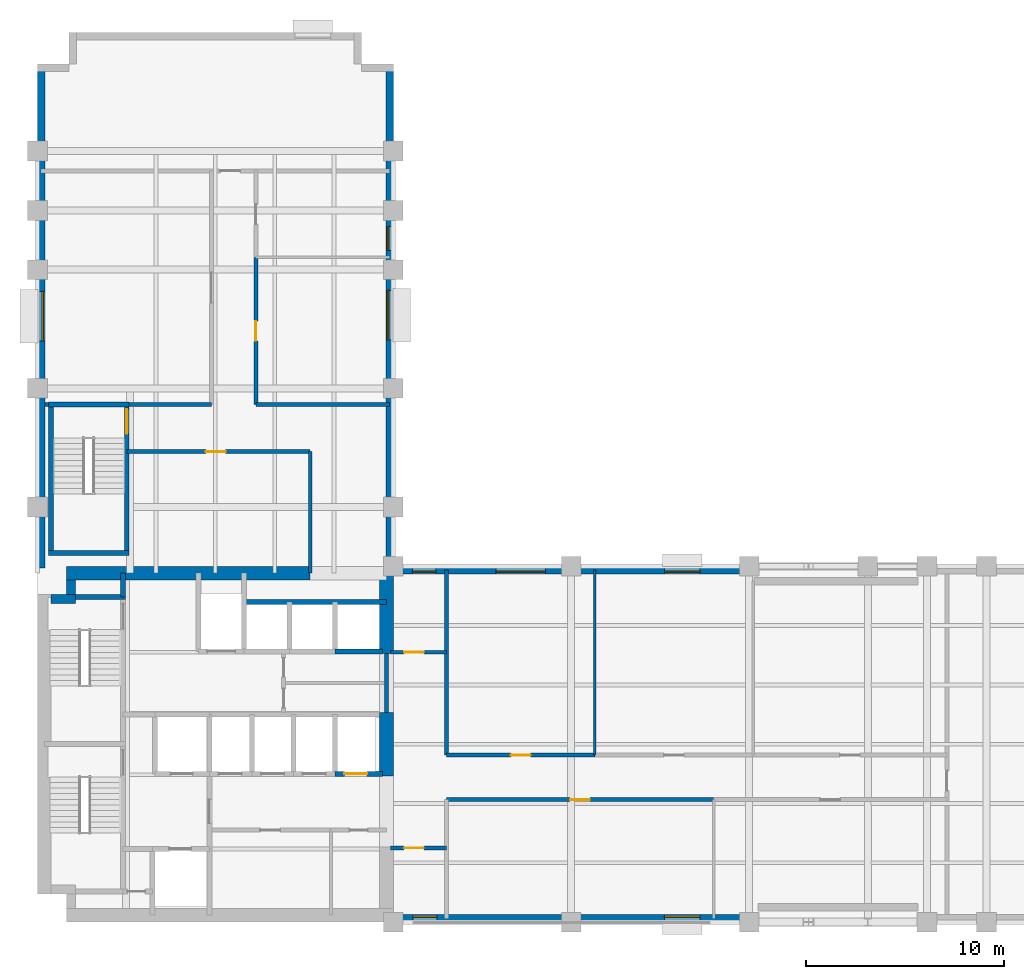
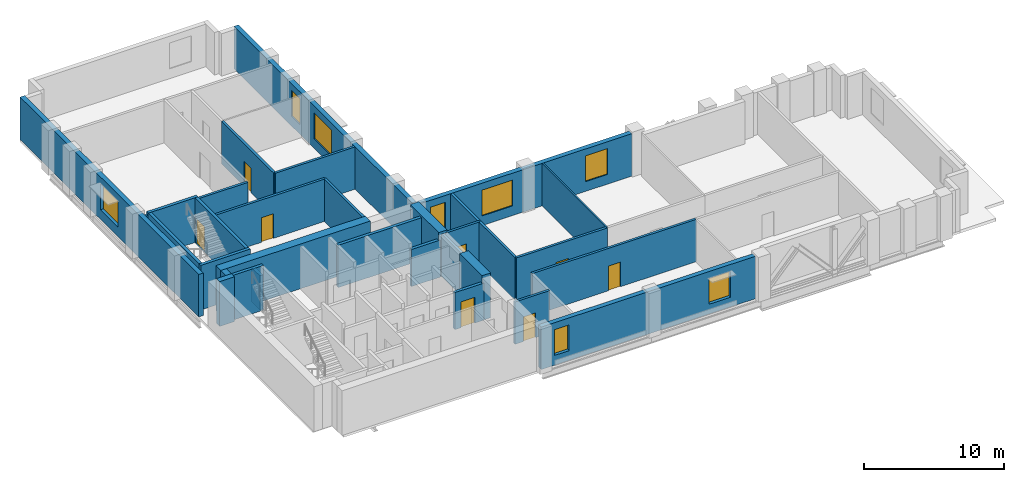
# One storey, part 4 of 7: 31 walls, 8 doors, 8 windows, 16 openings.
"""IFC4 building model written with IfcOpenShell, lengths in metres."""

from ifc_helpers import new_model, si_unit, direction, frame, frame_2d, origin, place, context, subcontext, project, spatial, rectangle, extrude, material, layer, layer_set, type_object, element, fill, save


model = new_model("IFC4")

# Units and contexts
model_context = context("Model", 3, precision=1e-05, world=origin(), true_north=direction((0.0, 1.0)))
body_context = subcontext(model_context, "Body", "Model", "MODEL_VIEW")
ifc_project = project(units=[si_unit("LENGTHUNIT", "METRE"), si_unit("AREAUNIT", "SQUARE_METRE"), si_unit("VOLUMEUNIT", "CUBIC_METRE"), si_unit("PLANEANGLEUNIT", "RADIAN"), si_unit("MASSUNIT", "GRAM", prefix="KILO")], contexts=[model_context])

# Site, building, storey
site_placement = place(None, origin())
site = spatial("IfcSite", under=ifc_project, at=site_placement, CompositionType="ELEMENT")
building_placement = place(site_placement, origin())
building = spatial("IfcBuilding", under=site, at=building_placement, Name="Mawjdan Bourse Tower", CompositionType="ELEMENT")
storey_placement = place(building_placement, frame((0.0, 0.0, 128.39990234375)))
storey = spatial("IfcBuildingStorey", under=building, at=storey_placement, Name="L30", CompositionType="ELEMENT", Elevation=128.39990234375)

# Wall, openings, windows
ifc_material_1 = material(Name="Brick Masonry Terracotta Red", Category="masonry")
ifc_layer_1 = layer(ifc_material_1, 0.3798828125)
ifc_layer_set_1 = layer_set([ifc_layer_1], Name="Brick Masonry Terracotta Red")
wall_type_1 = type_object("IfcWallType", Name="WL-BRK-RED-380", PredefinedType="STANDARD", material=ifc_layer_set_1)
wall_1_placement = place(storey_placement, frame((23.89990234375, 3.18994140625, 0.0), z_axis=(0.0, 0.0, 1.0), x_axis=(1.0, 0.0, 0.0)))
wall_1 = element("IfcWall", 1, at=wall_1_placement, inside=storey, type_object=wall_type_1, Name="L30 Exterior Brick Wall 1P1", PredefinedType="STANDARD", context=body_context, shape_type="SweptSolid", body=[
    extrude(rectangle(XDim=17.650146484375, YDim=0.3798828125, at=frame_2d((8.8251953125, 0.0))), origin(), (0.0, 0.0, 1.0), 3.7001953125),
])
opening_1_placement = place(wall_1_placement, frame((13.808349609375, 0.0, 0.85009765625)))
opening_1 = element("IfcOpeningElement", 2, at=opening_1_placement, cuts=wall_1, Name="Opening W-L30-01", PredefinedType="OPENING", context=body_context, shape_type="SweptSolid", body=[
    extrude(rectangle(XDim=1.800048828125, YDim=2.25, at=frame_2d((0.89990234375, 1.125))), frame((0.0, 0.199951171875, 0.0), z_axis=(0.0, -1.0, 0.0), x_axis=(1.0, 0.0, 0.0)), (0.0, 0.0, 1.0), 0.39990234375),
])
opening_2_placement = place(wall_1_placement, frame((1.10009765625, 0.0, 0.85009765625)))
opening_2 = element("IfcOpeningElement", 3, at=opening_2_placement, cuts=wall_1, Name="Opening W-L30-08", PredefinedType="OPENING", context=body_context, shape_type="SweptSolid", body=[
    extrude(rectangle(XDim=1.199951171875, YDim=2.25, at=frame_2d((0.60009765625, 1.125))), frame((0.0, 0.199951171875, 0.0), z_axis=(0.0, -1.0, 0.0), x_axis=(1.0, 0.0, 0.0)), (0.0, 0.0, 1.0), 0.39990234375),
])
ifc_material_2 = material(Name="Solar-Control Clear Double Glazing", Category="glass")
window_type_1 = type_object("IfcWindowType", Name="WN-Z2-1200", PartitioningType="SINGLE_PANEL", PredefinedType="WINDOW", material=ifc_material_2)
window_1_placement = place(opening_2_placement, origin())
window_1 = element("IfcWindow", 4, at=window_1_placement, inside=storey, type_object=window_type_1, Name="L30 Deep-Set Masonry Window W-L30-08", OverallHeight=2.25, OverallWidth=1.199951171875, PartitioningType="SINGLE_PANEL", PredefinedType="WINDOW", context=body_context, shape_type="SweptSolid", body=[
    extrude(rectangle(XDim=1.199951171875, YDim=2.25, at=frame_2d((0.60009765625, 1.125))), frame((0.0, 0.110107421875, 0.0), z_axis=(0.0, -1.0, 0.0), x_axis=(1.0, 0.0, 0.0)), (0.0, 0.0, 1.0), 0.06005859375),
])
fill(opening_2, window_1)
window_type_2 = type_object("IfcWindowType", Name="WN-Z2-1800", PartitioningType="SINGLE_PANEL", PredefinedType="WINDOW", material=ifc_material_2)
window_2_placement = place(opening_1_placement, origin())
window_2 = element("IfcWindow", 5, at=window_2_placement, inside=storey, type_object=window_type_2, Name="L30 Deep-Set Masonry Window W-L30-01", OverallHeight=2.25, OverallWidth=1.800048828125, PartitioningType="SINGLE_PANEL", PredefinedType="WINDOW", context=body_context, shape_type="SweptSolid", body=[
    extrude(rectangle(XDim=1.800048828125, YDim=2.25, at=frame_2d((0.89990234375, 1.125))), frame((0.0, 0.110107421875, 0.0), z_axis=(0.0, -1.0, 0.0), x_axis=(1.0, 0.0, 0.0)), (0.0, 0.0, 1.0), 0.06005859375),
])
fill(opening_1, window_2)

wall_2_placement = place(storey_placement, frame((41.550048828125, 20.81005859375, 0.0), z_axis=(0.0, 0.0, 1.0), x_axis=(-1.0, 0.0, 0.0)))
wall_2 = element("IfcWall", 6, at=wall_2_placement, inside=storey, type_object=wall_type_1, Name="L30 Exterior Brick Wall 7P3", PredefinedType="STANDARD", context=body_context, shape_type="SweptSolid", body=[
    extrude(rectangle(XDim=17.550048828125, YDim=0.3798828125, at=frame_2d((8.77490234375, 0.0))), origin(), (0.0, 0.0, 1.0), 3.7001953125),
])
opening_3_placement = place(wall_2_placement, frame((2.02490234375, 0.0, 0.85009765625)))
opening_3 = element("IfcOpeningElement", 7, at=opening_3_placement, cuts=wall_2, Name="Opening W-L30-04", PredefinedType="OPENING", context=body_context, shape_type="SweptSolid", body=[
    extrude(rectangle(XDim=1.800048828125, YDim=2.25, at=frame_2d((0.89990234375, 1.125))), frame((0.0, 0.199951171875, 0.0), z_axis=(0.0, -1.0, 0.0), x_axis=(1.0, 0.0, 0.0)), (0.0, 0.0, 1.0), 0.39990234375),
])
opening_4_placement = place(wall_2_placement, frame((15.3837890625, 0.0, 0.85009765625)))
opening_4 = element("IfcOpeningElement", 8, at=opening_4_placement, cuts=wall_2, Name="Opening W-L30-09", PredefinedType="OPENING", context=body_context, shape_type="SweptSolid", body=[
    extrude(rectangle(XDim=1.199951171875, YDim=2.25, at=frame_2d((0.60009765625, 1.125))), frame((0.0, 0.199951171875, 0.0), z_axis=(0.0, -1.0, 0.0), x_axis=(1.0, 0.0, 0.0)), (0.0, 0.0, 1.0), 0.39990234375),
])
opening_5_placement = place(wall_2_placement, frame((9.8544921875, 0.0, 0.85009765625)))
opening_5 = element("IfcOpeningElement", 9, at=opening_5_placement, cuts=wall_2, Name="Opening W-L30-10", PredefinedType="OPENING", context=body_context, shape_type="SweptSolid", body=[
    extrude(rectangle(XDim=2.5, YDim=2.25, at=frame_2d((1.25, 1.125))), frame((0.0, 0.199951171875, 0.0), z_axis=(0.0, -1.0, 0.0), x_axis=(1.0, 0.0, 0.0)), (0.0, 0.0, 1.0), 0.39990234375),
])
window_3_placement = place(opening_4_placement, origin())
window_3 = element("IfcWindow", 10, at=window_3_placement, inside=storey, type_object=window_type_1, Name="L30 Deep-Set Masonry Window W-L30-09", OverallHeight=2.25, OverallWidth=1.199951171875, PartitioningType="SINGLE_PANEL", PredefinedType="WINDOW", context=body_context, shape_type="SweptSolid", body=[
    extrude(rectangle(XDim=1.199951171875, YDim=2.25, at=frame_2d((0.60009765625, 1.125))), frame((0.0, 0.110107421875, 0.0), z_axis=(0.0, -1.0, 0.0), x_axis=(1.0, 0.0, 0.0)), (0.0, 0.0, 1.0), 0.06005859375),
])
fill(opening_4, window_3)
window_4_placement = place(opening_3_placement, origin())
window_4 = element("IfcWindow", 11, at=window_4_placement, inside=storey, type_object=window_type_2, Name="L30 Deep-Set Masonry Window W-L30-04", OverallHeight=2.25, OverallWidth=1.800048828125, PartitioningType="SINGLE_PANEL", PredefinedType="WINDOW", context=body_context, shape_type="SweptSolid", body=[
    extrude(rectangle(XDim=1.800048828125, YDim=2.25, at=frame_2d((0.89990234375, 1.125))), frame((0.0, 0.110107421875, 0.0), z_axis=(0.0, -1.0, 0.0), x_axis=(1.0, 0.0, 0.0)), (0.0, 0.0, 1.0), 0.06005859375),
])
fill(opening_3, window_4)
window_type_3 = type_object("IfcWindowType", Name="WN-Z2-2500", PartitioningType="SINGLE_PANEL", PredefinedType="WINDOW", material=ifc_material_2)
window_5_placement = place(opening_5_placement, origin())
window_5 = element("IfcWindow", 12, at=window_5_placement, inside=storey, type_object=window_type_3, Name="L30 Deep-Set Masonry Window W-L30-10", OverallHeight=2.25, OverallWidth=2.5, PartitioningType="SINGLE_PANEL", PredefinedType="WINDOW", context=body_context, shape_type="SweptSolid", body=[
    extrude(rectangle(XDim=2.5, YDim=2.25, at=frame_2d((1.25, 1.125))), frame((0.0, 0.110107421875, 0.0), z_axis=(0.0, -1.0, 0.0), x_axis=(1.0, 0.0, 0.0)), (0.0, 0.0, 1.0), 0.06005859375),
])
fill(opening_5, window_5)

wall_3_placement = place(storey_placement, frame((23.81005859375, 21.0, 0.0), z_axis=(0.0, 0.0, 1.0), x_axis=(0.0, 1.0, 0.0)))
wall_3 = element("IfcWall", 13, at=wall_3_placement, inside=storey, type_object=wall_type_1, Name="L30 Exterior Brick Wall 8", PredefinedType="STANDARD", context=body_context, shape_type="SweptSolid", body=[
    extrude(rectangle(XDim=25.39990234375, YDim=0.3798828125, at=frame_2d((12.699951171875, 0.0))), origin(), (0.0, 0.0, 1.0), 3.7001953125),
])
opening_6_placement = place(wall_3_placement, frame((11.449951171875, 0.0, 0.85009765625)))
opening_6 = element("IfcOpeningElement", 14, at=opening_6_placement, cuts=wall_3, Name="Opening W-L30-05", PredefinedType="OPENING", context=body_context, shape_type="SweptSolid", body=[
    extrude(rectangle(XDim=2.5, YDim=2.25, at=frame_2d((1.25, 1.125))), frame((0.0, 0.199951171875, 0.0), z_axis=(0.0, -1.0, 0.0), x_axis=(1.0, 0.0, 0.0)), (0.0, 0.0, 1.0), 0.39990234375),
])
opening_7_placement = place(wall_3_placement, frame((15.974365234375, 0.0, 0.85009765625)))
opening_7 = element("IfcOpeningElement", 15, at=opening_7_placement, cuts=wall_3, Name="Opening W-L30-11", PredefinedType="OPENING", context=body_context, shape_type="SweptSolid", body=[
    extrude(rectangle(XDim=1.199951171875, YDim=2.25, at=frame_2d((0.60009765625, 1.125))), frame((0.0, 0.199951171875, 0.0), z_axis=(0.0, -1.0, 0.0), x_axis=(1.0, 0.0, 0.0)), (0.0, 0.0, 1.0), 0.39990234375),
])
window_6_placement = place(opening_7_placement, origin())
window_6 = element("IfcWindow", 16, at=window_6_placement, inside=storey, type_object=window_type_1, Name="L30 Deep-Set Masonry Window W-L30-11", OverallHeight=2.25, OverallWidth=1.199951171875, PartitioningType="SINGLE_PANEL", PredefinedType="WINDOW", context=body_context, shape_type="SweptSolid", body=[
    extrude(rectangle(XDim=1.199951171875, YDim=2.25, at=frame_2d((0.60009765625, 1.125))), frame((0.0, 0.110107421875, 0.0), z_axis=(0.0, -1.0, 0.0), x_axis=(1.0, 0.0, 0.0)), (0.0, 0.0, 1.0), 0.06005859375),
])
fill(opening_7, window_6)
window_7_placement = place(opening_6_placement, origin())
window_7 = element("IfcWindow", 17, at=window_7_placement, inside=storey, type_object=window_type_3, Name="L30 Deep-Set Masonry Window W-L30-05", OverallHeight=2.25, OverallWidth=2.5, PartitioningType="SINGLE_PANEL", PredefinedType="WINDOW", context=body_context, shape_type="SweptSolid", body=[
    extrude(rectangle(XDim=2.5, YDim=2.25, at=frame_2d((1.25, 1.125))), frame((0.0, 0.110107421875, 0.0), z_axis=(0.0, -1.0, 0.0), x_axis=(1.0, 0.0, 0.0)), (0.0, 0.0, 1.0), 0.06005859375),
])
fill(opening_6, window_7)

# Wall, opening, window
wall_4_placement = place(storey_placement, frame((6.18994140625, 46.39990234375, 0.0), z_axis=(0.0, 0.0, 1.0), x_axis=(0.0, -1.0, 0.0)))
wall_4 = element("IfcWall", 18, at=wall_4_placement, inside=storey, type_object=wall_type_1, Name="L30 Exterior Brick Wall 14", PredefinedType="STANDARD", context=body_context, shape_type="SweptSolid", body=[
    extrude(rectangle(XDim=25.5, YDim=0.3798828125, at=frame_2d((12.75, 0.0))), origin(), (0.0, 0.0, 1.0), 3.7001953125),
])
opening_8_placement = place(wall_4_placement, frame((11.5, 0.0, 0.85009765625)))
opening_8 = element("IfcOpeningElement", 19, at=opening_8_placement, cuts=wall_4, Name="Opening W-L30-07", PredefinedType="OPENING", context=body_context, shape_type="SweptSolid", body=[
    extrude(rectangle(XDim=2.5, YDim=2.25, at=frame_2d((1.25, 1.125))), frame((0.0, 0.199951171875, 0.0), z_axis=(0.0, -1.0, 0.0), x_axis=(1.0, 0.0, 0.0)), (0.0, 0.0, 1.0), 0.39990234375),
])
window_8_placement = place(opening_8_placement, origin())
window_8 = element("IfcWindow", 20, at=window_8_placement, inside=storey, type_object=window_type_3, Name="L30 Deep-Set Masonry Window W-L30-07", OverallHeight=2.25, OverallWidth=2.5, PartitioningType="SINGLE_PANEL", PredefinedType="WINDOW", context=body_context, shape_type="SweptSolid", body=[
    extrude(rectangle(XDim=2.5, YDim=2.25, at=frame_2d((1.25, 1.125))), frame((0.0, 0.110107421875, 0.0), z_axis=(0.0, -1.0, 0.0), x_axis=(1.0, 0.0, 0.0)), (0.0, 0.0, 1.0), 0.06005859375),
])
fill(opening_8, window_8)

# Wall
ifc_material_3 = material(Name="Gypsum Fireboard Assembly")
ifc_layer_2 = layer(ifc_material_3, 0.199951171875)
ifc_layer_set_2 = layer_set([ifc_layer_2], Name="Gypsum Fireboard Assembly")
wall_type_2 = type_object("IfcWallType", Name="WL-CMP-200", PredefinedType="PARTITIONING", material=ifc_layer_set_2)
wall_5_placement = place(storey_placement, frame((23.64990234375, 13.60009765625, 0.0), z_axis=(0.0, 0.0, 1.0), x_axis=(0.0, 1.0, 0.0)))
element("IfcWall", 21, at=wall_5_placement, inside=storey, type_object=wall_type_2, Name="L30 Core Restroom East Enclosing Wall", PredefinedType="PARTITIONING", context=body_context, shape_type="SweptSolid", body=[
    extrude(rectangle(XDim=3.0, YDim=0.199951171875, at=frame_2d((1.5, 0.0))), origin(), (0.0, 0.0, 1.0), 3.690185546875),
])

# Wall, opening, door
wall_6_placement = place(storey_placement, frame((23.85009765625, 6.75, 0.0), z_axis=(0.0, 0.0, 1.0), x_axis=(1.0, 0.0, 0.0)))
wall_6 = element("IfcWall", 22, at=wall_6_placement, inside=storey, type_object=wall_type_2, Name="L30 West Pocket North Wall", PredefinedType="PARTITIONING", context=body_context, shape_type="SweptSolid", body=[
    extrude(rectangle(XDim=2.849853515625, YDim=0.199951171875, at=frame_2d((1.4248046875, 0.0))), origin(), (0.0, 0.0, 1.0), 3.690185546875),
])
opening_9_placement = place(wall_6_placement, frame((0.699951171875, 0.0, 0.0)))
opening_9 = element("IfcOpeningElement", 23, at=opening_9_placement, cuts=wall_6, Name="Opening D-L30-19", PredefinedType="OPENING", context=body_context, shape_type="SweptSolid", body=[
    extrude(rectangle(XDim=1.0, YDim=2.14990234375, at=frame_2d((0.5, 1.074951171875))), frame((0.0, 0.10986328125, 0.0), z_axis=(0.0, -1.0, 0.0), x_axis=(1.0, 0.0, 0.0)), (0.0, 0.0, 1.0), 0.219970703125),
])
ifc_material_4 = material(Name="Hardwood Acoustic Leaf", Category="wood")
door_type_1 = type_object("IfcDoorType", Name="DR-OFC-1000", OperationType="NOTDEFINED", PredefinedType="DOOR", material=ifc_material_4)
door_1_placement = place(opening_9_placement, origin())
door_1 = element("IfcDoor", 24, at=door_1_placement, inside=storey, type_object=door_type_1, Name="L30 West Pocket Office Door D-L30-19", OperationType="SINGLE_SWING_RIGHT", OverallHeight=2.14990234375, OverallWidth=1.0, PredefinedType="DOOR", context=body_context, shape_type="SweptSolid", body=[
    extrude(rectangle(XDim=1.0, YDim=2.14990234375, at=frame_2d((0.5, 1.074951171875))), frame((0.0, 0.02490234375, 0.0), z_axis=(0.0, -1.0, 0.0), x_axis=(1.0, 0.0, 0.0)), (0.0, 0.0, 1.0), 0.050048828125),
])
fill(opening_9, door_1)

wall_7_placement = place(storey_placement, frame((23.85009765625, 16.64990234375, 0.0), z_axis=(0.0, 0.0, 1.0), x_axis=(1.0, 0.0, 0.0)))
wall_7 = element("IfcWall", 25, at=wall_7_placement, inside=storey, type_object=wall_type_2, Name="L30 West North Pocket Wall", PredefinedType="PARTITIONING", context=body_context, shape_type="SweptSolid", body=[
    extrude(rectangle(XDim=2.849853515625, YDim=0.199951171875, at=frame_2d((1.4248046875, 0.0))), origin(), (0.0, 0.0, 1.0), 3.690185546875),
])
opening_10_placement = place(wall_7_placement, frame((0.699951171875, 0.0, 0.0)))
opening_10 = element("IfcOpeningElement", 26, at=opening_10_placement, cuts=wall_7, Name="Opening D-L30-20", PredefinedType="OPENING", context=body_context, shape_type="SweptSolid", body=[
    extrude(rectangle(XDim=1.0, YDim=2.14990234375, at=frame_2d((0.5, 1.074951171875))), frame((0.0, 0.10986328125, 0.0), z_axis=(0.0, -1.0, 0.0), x_axis=(1.0, 0.0, 0.0)), (0.0, 0.0, 1.0), 0.219970703125),
])
door_2_placement = place(opening_10_placement, origin())
door_2 = element("IfcDoor", 27, at=door_2_placement, inside=storey, type_object=door_type_1, Name="L30 West North Pocket Door D-L30-20", OperationType="SINGLE_SWING_LEFT", OverallHeight=2.14990234375, OverallWidth=1.0, PredefinedType="DOOR", context=body_context, shape_type="SweptSolid", body=[
    extrude(rectangle(XDim=1.0, YDim=2.14990234375, at=frame_2d((0.5, 1.074951171875))), frame((0.0, 0.02490234375, 0.0), z_axis=(0.0, -1.0, 0.0), x_axis=(1.0, 0.0, 0.0)), (0.0, 0.0, 1.0), 0.050048828125),
])
fill(opening_10, door_2)

# Wall
wall_8_placement = place(storey_placement, frame((26.699951171875, 11.449951171875, 0.0), z_axis=(0.0, 0.0, 1.0), x_axis=(0.0, 1.0, 0.0)))
element("IfcWall", 28, at=wall_8_placement, inside=storey, type_object=wall_type_2, Name="L30 Vestibule North East Wall", PredefinedType="PARTITIONING", context=body_context, shape_type="SweptSolid", body=[
    extrude(rectangle(XDim=9.3701171875, YDim=0.199951171875, at=frame_2d((4.68505859375, 0.0))), origin(), (0.0, 0.0, 1.0), 3.690185546875),
])

# Wall, opening, door
wall_9_placement = place(storey_placement, frame((26.699951171875, 9.199951171875, 0.0), z_axis=(0.0, 0.0, 1.0), x_axis=(1.0, 0.0, 0.0)))
wall_9 = element("IfcWall", 29, at=wall_9_placement, inside=storey, type_object=wall_type_2, Name="L30 Syndication & Sukuk Suite Corridor Wall", PredefinedType="PARTITIONING", context=body_context, shape_type="SweptSolid", body=[
    extrude(rectangle(XDim=13.5, YDim=0.199951171875, at=frame_2d((6.75, 0.0))), origin(), (0.0, 0.0, 1.0), 3.690185546875),
])
opening_11_placement = place(wall_9_placement, frame((6.25, 0.0, 0.0)))
opening_11 = element("IfcOpeningElement", 30, at=opening_11_placement, cuts=wall_9, Name="Opening D-L30-21", PredefinedType="OPENING", context=body_context, shape_type="SweptSolid", body=[
    extrude(rectangle(XDim=1.0, YDim=2.14990234375, at=frame_2d((0.5, 1.074951171875))), frame((0.0, 0.10986328125, 0.0), z_axis=(0.0, -1.0, 0.0), x_axis=(1.0, 0.0, 0.0)), (0.0, 0.0, 1.0), 0.219970703125),
])
door_3_placement = place(opening_11_placement, origin())
door_3 = element("IfcDoor", 31, at=door_3_placement, inside=storey, type_object=door_type_1, Name="L30 Syndication & Sukuk Suite Door D-L30-21", OperationType="SINGLE_SWING_RIGHT", OverallHeight=2.14990234375, OverallWidth=1.0, PredefinedType="DOOR", context=body_context, shape_type="SweptSolid", body=[
    extrude(rectangle(XDim=1.0, YDim=2.14990234375, at=frame_2d((0.5, 1.074951171875))), frame((0.0, 0.02490234375, 0.0), z_axis=(0.0, -1.0, 0.0), x_axis=(1.0, 0.0, 0.0)), (0.0, 0.0, 1.0), 0.050048828125),
])
fill(opening_11, door_3)

wall_10_placement = place(storey_placement, frame((26.699951171875, 11.449951171875, 0.0), z_axis=(0.0, 0.0, 1.0), x_axis=(1.0, 0.0, 0.0)))
wall_10 = element("IfcWall", 32, at=wall_10_placement, inside=storey, type_object=wall_type_2, Name="L30 Executive Office Corridor Wall", PredefinedType="PARTITIONING", context=body_context, shape_type="SweptSolid", body=[
    extrude(rectangle(XDim=7.5, YDim=0.199951171875, at=frame_2d((3.75, 0.0))), origin(), (0.0, 0.0, 1.0), 3.690185546875),
])
opening_12_placement = place(wall_10_placement, frame((3.25, 0.0, 0.0)))
opening_12 = element("IfcOpeningElement", 33, at=opening_12_placement, cuts=wall_10, Name="Opening D-L30-23", PredefinedType="OPENING", context=body_context, shape_type="SweptSolid", body=[
    extrude(rectangle(XDim=1.0, YDim=2.14990234375, at=frame_2d((0.5, 1.074951171875))), frame((0.0, 0.10986328125, 0.0), z_axis=(0.0, -1.0, 0.0), x_axis=(1.0, 0.0, 0.0)), (0.0, 0.0, 1.0), 0.219970703125),
])
door_4_placement = place(opening_12_placement, origin())
door_4 = element("IfcDoor", 34, at=door_4_placement, inside=storey, type_object=door_type_1, Name="L30 Executive Office Door D-L30-23", OperationType="SINGLE_SWING_RIGHT", OverallHeight=2.14990234375, OverallWidth=1.0, PredefinedType="DOOR", context=body_context, shape_type="SweptSolid", body=[
    extrude(rectangle(XDim=1.0, YDim=2.14990234375, at=frame_2d((0.5, 1.074951171875))), frame((0.0, 0.02490234375, 0.0), z_axis=(0.0, -1.0, 0.0), x_axis=(1.0, 0.0, 0.0)), (0.0, 0.0, 1.0), 0.050048828125),
])
fill(opening_12, door_4)

wall_11_placement = place(storey_placement, frame((10.52001953125, 26.800048828125, 0.0), z_axis=(0.0, 0.0, 1.0), x_axis=(1.0, 0.0, 0.0)))
wall_11 = element("IfcWall", 35, at=wall_11_placement, inside=storey, type_object=wall_type_2, Name="L30 North Throat North Wall", PredefinedType="PARTITIONING", context=body_context, shape_type="SweptSolid", body=[
    extrude(rectangle(XDim=9.280029296875, YDim=0.199951171875, at=frame_2d((4.64013671875, 0.0))), origin(), (0.0, 0.0, 1.0), 3.690185546875),
])
opening_13_placement = place(wall_11_placement, frame((4.0, 0.0, 0.0)))
opening_13 = element("IfcOpeningElement", 36, at=opening_13_placement, cuts=wall_11, Name="Opening D-L30-27", PredefinedType="OPENING", context=body_context, shape_type="SweptSolid", body=[
    extrude(rectangle(XDim=1.0, YDim=2.14990234375, at=frame_2d((0.5, 1.074951171875))), frame((0.0, 0.10986328125, 0.0), z_axis=(0.0, -1.0, 0.0), x_axis=(1.0, 0.0, 0.0)), (0.0, 0.0, 1.0), 0.219970703125),
])
door_5_placement = place(opening_13_placement, origin())
door_5 = element("IfcDoor", 37, at=door_5_placement, inside=storey, type_object=door_type_1, Name="L30 North Throat Suite Door D-L30-27", OperationType="SINGLE_SWING_RIGHT", OverallHeight=2.14990234375, OverallWidth=1.0, PredefinedType="DOOR", context=body_context, shape_type="SweptSolid", body=[
    extrude(rectangle(XDim=1.0, YDim=2.14990234375, at=frame_2d((0.5, 1.074951171875))), frame((0.0, 0.02490234375, 0.0), z_axis=(0.0, -1.0, 0.0), x_axis=(1.0, 0.0, 0.0)), (0.0, 0.0, 1.0), 0.050048828125),
])
fill(opening_13, door_5)

# Walls
wall_12_placement = place(storey_placement, frame((19.800048828125, 20.64990234375, 0.0), z_axis=(0.0, 0.0, 1.0), x_axis=(0.0, 1.0, 0.0)))
element("IfcWall", 38, at=wall_12_placement, inside=storey, type_object=wall_type_2, Name="L30 North Throat East Wall", PredefinedType="PARTITIONING", context=body_context, shape_type="SweptSolid", body=[
    extrude(rectangle(XDim=6.150146484375, YDim=0.199951171875, at=frame_2d((3.0751953125, 0.0))), origin(), (0.0, 0.0, 1.0), 3.690185546875),
])
wall_13_placement = place(storey_placement, frame((6.3798828125, 29.179931640625, 0.0), z_axis=(0.0, 0.0, 1.0), x_axis=(1.0, 0.0, 0.0)))
element("IfcWall", 39, at=wall_13_placement, inside=storey, type_object=wall_type_2, Name="L30 North West Band ST3 West Return", PredefinedType="PARTITIONING", context=body_context, shape_type="SweptSolid", body=[
    extrude(rectangle(XDim=0.175048828125, YDim=0.199951171875, at=frame_2d((0.08740234375, 0.0))), origin(), (0.0, 0.0, 1.0), 3.690185546875),
])
wall_14_placement = place(storey_placement, frame((10.6298828125, 29.179931640625, 0.0), z_axis=(0.0, 0.0, 1.0), x_axis=(1.0, 0.0, 0.0)))
element("IfcWall", 40, at=wall_14_placement, inside=storey, type_object=wall_type_2, Name="L30 North West Band South Wall", PredefinedType="PARTITIONING", context=body_context, shape_type="SweptSolid", body=[
    extrude(rectangle(XDim=4.170166015625, YDim=0.199951171875, at=frame_2d((2.0849609375, 0.0))), origin(), (0.0, 0.0, 1.0), 3.690185546875),
])
wall_15_placement = place(storey_placement, frame((17.050048828125, 29.179931640625, 0.0), z_axis=(0.0, 0.0, 1.0), x_axis=(1.0, 0.0, 0.0)))
element("IfcWall", 41, at=wall_15_placement, inside=storey, type_object=wall_type_2, Name="L30 North East Band South Wall", PredefinedType="PARTITIONING", context=body_context, shape_type="SweptSolid", body=[
    extrude(rectangle(XDim=6.77001953125, YDim=0.199951171875, at=frame_2d((3.385009765625, 0.0))), origin(), (0.0, 0.0, 1.0), 3.690185546875),
])

# Wall, opening, door
wall_16_placement = place(storey_placement, frame((17.050048828125, 29.179931640625, 0.0), z_axis=(0.0, 0.0, 1.0), x_axis=(0.0, 1.0, 0.0)))
wall_16 = element("IfcWall", 42, at=wall_16_placement, inside=storey, type_object=wall_type_2, Name="L30 Portfolio Library Corridor Wall", PredefinedType="PARTITIONING", context=body_context, shape_type="SweptSolid", body=[
    extrude(rectangle(XDim=7.440185546875, YDim=0.199951171875, at=frame_2d((3.72021484375, 0.0))), origin(), (0.0, 0.0, 1.0), 3.690185546875),
])
opening_14_placement = place(wall_16_placement, frame((3.219970703125, 0.0, 0.0)))
opening_14 = element("IfcOpeningElement", 43, at=opening_14_placement, cuts=wall_16, Name="Opening D-L30-29", PredefinedType="OPENING", context=body_context, shape_type="SweptSolid", body=[
    extrude(rectangle(XDim=1.0, YDim=2.14990234375, at=frame_2d((0.5, 1.074951171875))), frame((0.0, 0.10986328125, 0.0), z_axis=(0.0, -1.0, 0.0), x_axis=(1.0, 0.0, 0.0)), (0.0, 0.0, 1.0), 0.219970703125),
])
door_6_placement = place(opening_14_placement, origin())
door_6 = element("IfcDoor", 44, at=door_6_placement, inside=storey, type_object=door_type_1, Name="L30 Portfolio Library Door D-L30-29", OperationType="SINGLE_SWING_LEFT", OverallHeight=2.14990234375, OverallWidth=1.0, PredefinedType="DOOR", context=body_context, shape_type="SweptSolid", body=[
    extrude(rectangle(XDim=1.0, YDim=2.14990234375, at=frame_2d((0.5, 1.074951171875))), frame((0.0, 0.02490234375, 0.0), z_axis=(0.0, -1.0, 0.0), x_axis=(1.0, 0.0, 0.0)), (0.0, 0.0, 1.0), 0.050048828125),
])
fill(opening_14, door_6)

# Walls
ifc_material_5 = material(Name="Concrete C60/75", Category="concrete")
ifc_layer_3 = layer(ifc_material_5, 0.449951171875)
ifc_layer_set_3 = layer_set([ifc_layer_3], Name="Concrete C60/75")
wall_type_3 = type_object("IfcWallType", Name="WL-CORE-450", PredefinedType="SHEAR", material=ifc_layer_set_3)
wall_17_placement = place(storey_placement, frame((6.699951171875, 19.35009765625, 0.0), z_axis=(0.0, 0.0, 1.0), x_axis=(1.0, 0.0, 0.0)))
element("IfcWall", 45, at=wall_17_placement, inside=storey, type_object=wall_type_3, Name="L30 Rear Core Shear Wall NW-X", PredefinedType="SHEAR", context=body_context, shape_type="SweptSolid", body=[
    extrude(rectangle(XDim=1.22509765625, YDim=0.449951171875, at=frame_2d((0.612548828125, 0.0))), origin(), (0.0, 0.0, 1.0), 3.900146484375),
])
wall_18_placement = place(storey_placement, frame((7.699951171875, 19.574951171875, 0.0), z_axis=(0.0, 0.0, 1.0), x_axis=(0.0, 1.0, 0.0)))
element("IfcWall", 46, at=wall_18_placement, inside=storey, type_object=wall_type_3, Name="L30 Rear Core Shear Wall NW-Y", PredefinedType="SHEAR", context=body_context, shape_type="SweptSolid", body=[
    extrude(rectangle(XDim=0.72509765625, YDim=0.449951171875, at=frame_2d((0.362548828125, 0.0))), origin(), (0.0, 0.0, 1.0), 3.900146484375),
])
ifc_material_6 = material(Name="Concrete C70/85", Category="concrete")
ifc_layer_4 = layer(ifc_material_6, 0.699951171875)
ifc_layer_set_4 = layer_set([ifc_layer_4], Name="Concrete C70/85")
wall_type_4 = type_object("IfcWallType", Name="WL-CORE-700", PredefinedType="SHEAR", material=ifc_layer_set_4)
wall_19_placement = place(storey_placement, frame((7.47509765625, 20.64990234375, 0.0), z_axis=(0.0, 0.0, 1.0), x_axis=(1.0, 0.0, 0.0)))
element("IfcWall", 47, at=wall_19_placement, inside=storey, type_object=wall_type_4, Name="L30 Rear Core Shear Wall N", PredefinedType="SHEAR", context=body_context, shape_type="SweptSolid", body=[
    extrude(rectangle(XDim=12.324951171875, YDim=0.699951171875, at=frame_2d((6.16259765625, 0.0))), origin(), (0.0, 0.0, 1.0), 3.900146484375),
])
wall_20_placement = place(storey_placement, frame((23.64990234375, 10.39990234375, 0.0), z_axis=(0.0, 0.0, 1.0), x_axis=(0.0, 1.0, 0.0)))
element("IfcWall", 48, at=wall_20_placement, inside=storey, type_object=wall_type_4, Name="L30 Rear Core Shear Wall E2", PredefinedType="SHEAR", context=body_context, shape_type="SweptSolid", body=[
    extrude(rectangle(XDim=3.2001953125, YDim=0.699951171875, at=frame_2d((1.60009765625, 0.0))), origin(), (0.0, 0.0, 1.0), 3.900146484375),
])
wall_21_placement = place(storey_placement, frame((23.64990234375, 16.60009765625, 0.0), z_axis=(0.0, 0.0, 1.0), x_axis=(0.0, 1.0, 0.0)))
element("IfcWall", 49, at=wall_21_placement, inside=storey, type_object=wall_type_4, Name="L30 Rear Core Shear Wall E3", PredefinedType="SHEAR", context=body_context, shape_type="SweptSolid", body=[
    extrude(rectangle(XDim=4.0498046875, YDim=0.699951171875, at=frame_2d((2.02490234375, 0.0))), origin(), (0.0, 0.0, 1.0), 3.900146484375),
])
ifc_material_7 = material(Name="Gypsum Partition")
ifc_layer_5 = layer(ifc_material_7, 0.125)
ifc_layer_set_5 = layer_set([ifc_layer_5], Name="Gypsum Partition")
wall_type_5 = type_object("IfcWallType", Name="WL-PRT-125", PredefinedType="PARTITIONING", material=ifc_layer_set_5)
wall_22_placement = place(storey_placement, frame((34.199951171875, 11.449951171875, 0.0), z_axis=(0.0, 0.0, 1.0), x_axis=(0.0, 1.0, 0.0)))
element("IfcWall", 50, at=wall_22_placement, inside=storey, type_object=wall_type_5, Name="L30 Portfolio Library Partition", PredefinedType="PARTITIONING", context=body_context, shape_type="SweptSolid", body=[
    extrude(rectangle(XDim=9.3701171875, YDim=0.125, at=frame_2d((4.68505859375, 0.0))), origin(), (0.0, 0.0, 1.0), 3.690185546875),
])
ifc_material_8 = material(Name="Concrete C50/60", Category="concrete")
ifc_layer_6 = layer(ifc_material_8, 0.25)
ifc_layer_set_6 = layer_set([ifc_layer_6], Name="Concrete C50/60")
wall_type_6 = type_object("IfcWallType", Name="WL-SHFT-250", PredefinedType="PARTITIONING", material=ifc_layer_set_6)
wall_23_placement = place(storey_placement, frame((10.330078125, 19.449951171875, 0.0), z_axis=(0.0, 0.0, 1.0), x_axis=(0.0, 1.0, 0.0)))
element("IfcWall", 51, at=wall_23_placement, inside=storey, type_object=wall_type_6, Name="L30 NW Riser East Wall", PredefinedType="PARTITIONING", context=body_context, shape_type="SweptSolid", body=[
    extrude(rectangle(XDim=1.199951171875, YDim=0.25, at=frame_2d((0.60009765625, 0.0))), origin(), (0.0, 0.0, 1.0), 2.994140625),
])
wall_24_placement = place(storey_placement, frame((21.050048828125, 16.699951171875, 0.0), z_axis=(0.0, 0.0, 1.0), x_axis=(1.0, 0.0, 0.0)))
element("IfcWall", 52, at=wall_24_placement, inside=storey, type_object=wall_type_6, Name="L30 PH-03 Front Wall", PredefinedType="PARTITIONING", context=body_context, shape_type="SweptSolid", body=[
    extrude(rectangle(XDim=2.39990234375, YDim=0.25, at=frame_2d((1.199951171875, 0.0))), origin(), (0.0, 0.0, 1.0), 3.233154296875),
])
wall_25_placement = place(storey_placement, frame((16.449951171875, 19.199951171875, 0.0), z_axis=(0.0, 0.0, 1.0), x_axis=(1.0, 0.0, 0.0)))
element("IfcWall", 53, at=wall_25_placement, inside=storey, type_object=wall_type_6, Name="L30 PH Bank North Shaft Back Wall", PredefinedType="PARTITIONING", context=body_context, shape_type="SweptSolid", body=[
    extrude(rectangle(XDim=7.199951171875, YDim=0.25, at=frame_2d((3.60009765625, 0.0))), origin(), (0.0, 0.0, 1.0), 3.690185546875),
])

# Wall, opening, door
wall_26_placement = place(storey_placement, frame((21.050048828125, 10.5, 0.0), z_axis=(0.0, 0.0, 1.0), x_axis=(1.0, 0.0, 0.0)))
wall_26 = element("IfcWall", 54, at=wall_26_placement, inside=storey, type_object=wall_type_6, Name="L30 PM-04 Front Wall", PredefinedType="PARTITIONING", context=body_context, shape_type="SweptSolid", body=[
    extrude(rectangle(XDim=2.39990234375, YDim=0.25, at=frame_2d((1.199951171875, 0.0))), origin(), (0.0, 0.0, 1.0), 3.233154296875),
])
opening_15_placement = place(wall_26_placement, frame((0.47998046875, 0.0, 0.0)))
opening_15 = element("IfcOpeningElement", 55, at=opening_15_placement, cuts=wall_26, Name="Opening LD-L30-15", PredefinedType="OPENING", context=body_context, shape_type="SweptSolid", body=[
    extrude(rectangle(XDim=1.14990234375, YDim=2.25, at=frame_2d((0.574951171875, 1.125))), frame((0.0, 0.135009765625, 0.0), z_axis=(0.0, -1.0, 0.0), x_axis=(1.0, 0.0, 0.0)), (0.0, 0.0, 1.0), 0.27001953125),
])
ifc_material_9 = material(Name="Brushed Stainless Steel", Category="steel")
door_type_2 = type_object("IfcDoorType", Name="LD-PAS-1150", OperationType="DOUBLE_DOOR_SLIDING", PredefinedType="DOOR", material=ifc_material_9)
door_7_placement = place(opening_15_placement, origin())
door_7 = element("IfcDoor", 56, at=door_7_placement, inside=storey, type_object=door_type_2, Name="L30 Lift PM-04 Landing Door LD-L30-15", OperationType="DOUBLE_DOOR_SLIDING", OverallHeight=2.25, OverallWidth=1.14990234375, PredefinedType="DOOR", context=body_context, shape_type="SweptSolid", body=[
    extrude(rectangle(XDim=1.14990234375, YDim=2.25, at=frame_2d((0.574951171875, 1.125))), frame((0.0, 0.02490234375, 0.0), z_axis=(0.0, -1.0, 0.0), x_axis=(1.0, 0.0, 0.0)), (0.0, 0.0, 1.0), 0.050048828125),
])
fill(opening_15, door_7)

# Walls
ifc_layer_7 = layer(ifc_material_8, 0.25)
ifc_layer_set_7 = layer_set([ifc_layer_7], Name="Concrete C50/60")
wall_type_7 = type_object("IfcWallType", Name="WL-STRW-250", PredefinedType="SHEAR", material=ifc_layer_set_7)
wall_27_placement = place(storey_placement, frame((7.699951171875, 19.449951171875, 0.0), z_axis=(0.0, 0.0, 1.0), x_axis=(1.0, 0.0, 0.0)))
element("IfcWall", 57, at=wall_27_placement, inside=storey, type_object=wall_type_7, Name="L30 Stairwell ST2 North Shaft Wall", PredefinedType="SHEAR", context=body_context, shape_type="SweptSolid", body=[
    extrude(rectangle(XDim=2.755126953125, YDim=0.25, at=frame_2d((1.37744140625, 0.0))), origin(), (0.0, 0.0, 1.0), 3.900146484375),
])
for number, where, z_axis, x_axis, name in (
    (58, (6.554931640625, 21.679931640625, 0.0), (0.0, 0.0, 1.0), (1.0, 0.0, 0.0), "L30 ST3 South Shaft Wall"),
    (59, (6.554931640625, 29.179931640625, 0.0), (0.0, 0.0, 1.0), (1.0, 0.0, 0.0), "L30 ST3 North Shaft Wall"),
):
    element("IfcWall", number, at=place(storey_placement, frame(where, z_axis=z_axis, x_axis=x_axis)), inside=storey, type_object=wall_type_7, Name=name, PredefinedType="SHEAR", context=body_context, shape_type="SweptSolid", body=[
        extrude(rectangle(XDim=4.090087890625, YDim=0.25, at=frame_2d((2.044921875, 0.0))), origin(), (0.0, 0.0, 1.0), 3.900146484375),
    ])
wall_28_placement = place(storey_placement, frame((6.679931640625, 21.679931640625, 0.0), z_axis=(0.0, 0.0, 1.0), x_axis=(0.0, 1.0, 0.0)))
element("IfcWall", 60, at=wall_28_placement, inside=storey, type_object=wall_type_7, Name="L30 ST3 West Shaft Wall", PredefinedType="SHEAR", context=body_context, shape_type="SweptSolid", body=[
    extrude(rectangle(XDim=7.5, YDim=0.25, at=frame_2d((3.75, 0.0))), origin(), (0.0, 0.0, 1.0), 3.900146484375),
])

# Wall, opening, door
wall_29_placement = place(storey_placement, frame((10.52001953125, 21.679931640625, 0.0), z_axis=(0.0, 0.0, 1.0), x_axis=(0.0, 1.0, 0.0)))
wall_29 = element("IfcWall", 61, at=wall_29_placement, inside=storey, type_object=wall_type_7, Name="L30 ST3 East Shaft Wall", PredefinedType="SHEAR", context=body_context, shape_type="SweptSolid", body=[
    extrude(rectangle(XDim=7.5, YDim=0.25, at=frame_2d((3.75, 0.0))), origin(), (0.0, 0.0, 1.0), 3.900146484375),
])
opening_16_placement = place(wall_29_placement, frame((6.02001953125, 0.0, 0.0)))
opening_16 = element("IfcOpeningElement", 62, at=opening_16_placement, cuts=wall_29, Name="Opening SD-L30-18", PredefinedType="OPENING", context=body_context, shape_type="SweptSolid", body=[
    extrude(rectangle(XDim=1.25, YDim=2.199951171875, at=frame_2d((0.625, 1.10009765625))), frame((0.0, 0.135009765625, 0.0), z_axis=(0.0, -1.0, 0.0), x_axis=(1.0, 0.0, 0.0)), (0.0, 0.0, 1.0), 0.27001953125),
])
ifc_material_10 = material(Name="Fire-Rated Steel Leaf", Category="steel")
door_type_3 = type_object("IfcDoorType", Name="FD-ST-1250", OperationType="NOTDEFINED", PredefinedType="DOOR", material=ifc_material_10)
door_8_placement = place(opening_16_placement, origin())
door_8 = element("IfcDoor", 63, at=door_8_placement, inside=storey, type_object=door_type_3, Name="L30 Stair ST3 Fire Door SD-L30-18", OperationType="SINGLE_SWING_LEFT", OverallHeight=2.199951171875, OverallWidth=1.25, PredefinedType="DOOR", context=body_context, shape_type="SweptSolid", body=[
    extrude(rectangle(XDim=1.25, YDim=2.199951171875, at=frame_2d((0.625, 1.10009765625))), frame((0.0, 0.02490234375, 0.0), z_axis=(0.0, -1.0, 0.0), x_axis=(1.0, 0.0, 0.0)), (0.0, 0.0, 1.0), 0.050048828125),
])
fill(opening_16, door_8)

save(model, "model.ifc")
